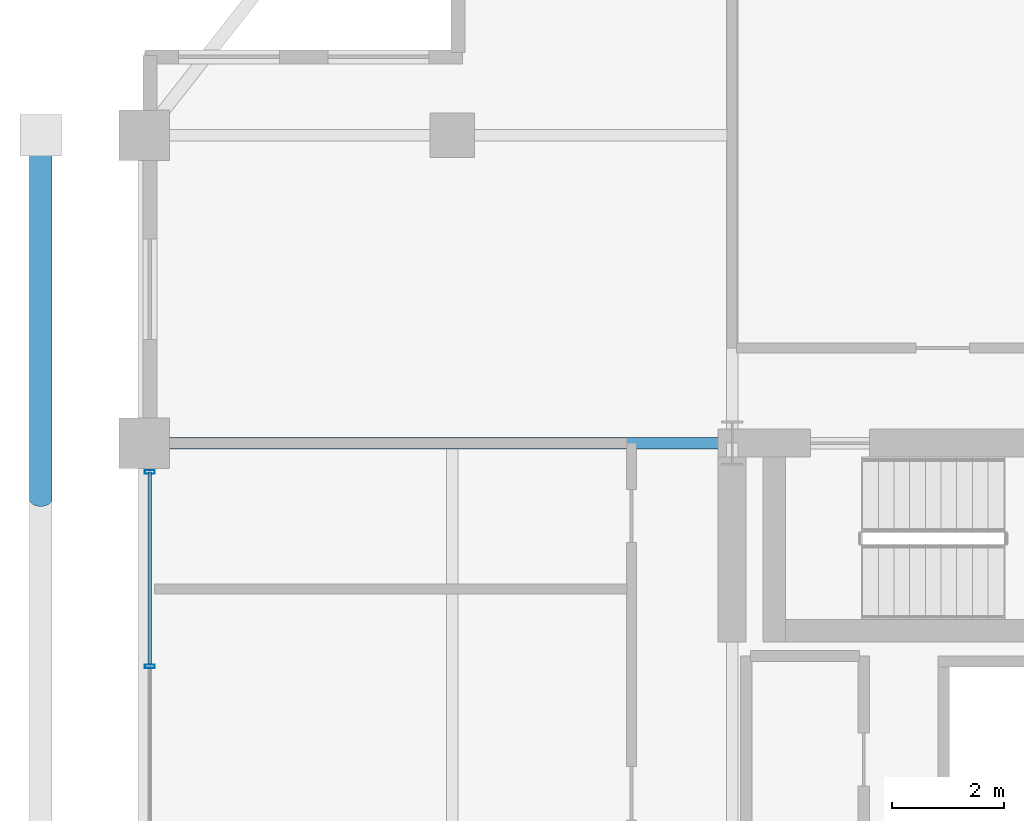
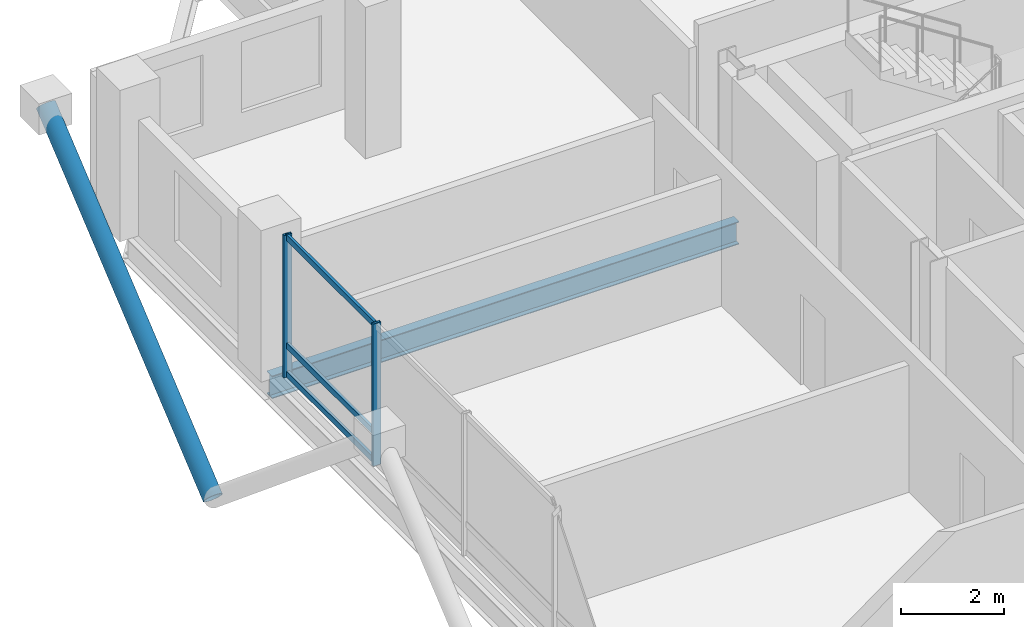
# One storey, part 9 of 22: 6 members, 1 beam, 1 element without a shape of its own.
"""IFC4 building model written with IfcOpenShell, lengths in metres."""

from ifc_helpers import new_model, si_unit, direction, frame, origin, origin_2d, place, context, subcontext, project, spatial, hollow_rectangle, hollow_circle, i_section, extrude, material, layer, layer_set, material_profile, profile_set, type_object, element, aggregate, save


model = new_model("IFC4")

# Units and contexts
model_context = context("Model", 3, precision=1e-05, world=origin(), true_north=direction((0.0, 1.0)))
body_context = subcontext(model_context, "Body", "Model", "MODEL_VIEW")
ifc_project = project(units=[si_unit("LENGTHUNIT", "METRE"), si_unit("AREAUNIT", "SQUARE_METRE"), si_unit("VOLUMEUNIT", "CUBIC_METRE"), si_unit("PLANEANGLEUNIT", "RADIAN"), si_unit("MASSUNIT", "GRAM", prefix="KILO")], contexts=[model_context])

# Site, building, storey
site_placement = place(None, origin())
site = spatial("IfcSite", under=ifc_project, at=site_placement, CompositionType="ELEMENT")
building_placement = place(site_placement, origin())
building = spatial("IfcBuilding", under=site, at=building_placement, Name="Barlavira Tower and Art Museum", CompositionType="ELEMENT")
storey_placement = place(building_placement, frame((0.0, 0.0, 258.300048828125)))
storey = spatial("IfcBuildingStorey", under=building, at=storey_placement, Name="L67", CompositionType="ELEMENT", Elevation=258.300048828125)

# Curtain wall, members
ifc_material_1 = material(Name="Low-iron coastal laminated glass", Category="glass")
ifc_layer = layer(ifc_material_1, 0.2099609375, Name="Low-iron coastal laminated glass")
ifc_layer_set = layer_set([ifc_layer], Name="Low-iron coastal laminated glass")
curtain_wall_type = type_object("IfcCurtainWallType", Name="Pale-Metal Unitised Curtain Wall Zone 4", PredefinedType="NOTDEFINED", material=ifc_layer_set)
curtain_wall_placement = place(storey_placement, origin())
curtain_wall = element("IfcCurtainWall", 1, at=curtain_wall_placement, inside=storey, type_object=curtain_wall_type, Name="L67 Curtain Wall CW4-L67-W-B3", PredefinedType="NOTDEFINED")
ifc_material_2 = material(Name="Pale anodised aluminium", Category="aluminium")
ifc_material_profile_1 = material_profile(ifc_material_2, hollow_rectangle(XDim=0.06494140625, YDim=0.179931640625, WallThickness=0.00390625, at=origin_2d()), Name="ALU-MULL 65x180x4")
ifc_profile_set_1 = profile_set([ifc_material_profile_1], Name="Pale anodised aluminium")
member_type_1 = type_object("IfcMemberType", Name="Curtain Wall Pale-Metal Mullion 65x180", PredefinedType="MULLION", material=ifc_profile_set_1)
member_1_placement = place(storey_placement, frame((-16.89990234375, 6.985107421875, 0.0), z_axis=(0.0, 0.0, 1.0), x_axis=(0.0, -1.0, 0.0)))
member_1 = element("IfcMember", 2, at=member_1_placement, type_object=member_type_1, Name="CW4-L67-W-B3 Mullion 0", PredefinedType="MULLION", context=body_context, shape_type="SweptSolid", body=[
    extrude(hollow_rectangle(XDim=0.06494140625, YDim=0.179931640625, WallThickness=0.00390625, at=origin_2d()), origin(), (0.0, 0.0, 1.0), 3.3798828125),
])
member_2_placement = place(storey_placement, frame((-16.89990234375, 3.514892578125, 0.0), z_axis=(0.0, 0.0, 1.0), x_axis=(0.0, -1.0, 0.0)))
member_2 = element("IfcMember", 3, at=member_2_placement, type_object=member_type_1, Name="CW4-L67-W-B3 Mullion 1", PredefinedType="MULLION", context=body_context, shape_type="SweptSolid", body=[
    extrude(hollow_rectangle(XDim=0.06494140625, YDim=0.179931640625, WallThickness=0.00390625, at=origin_2d()), origin(), (0.0, 0.0, 1.0), 3.3798828125),
])
ifc_material_profile_2 = material_profile(ifc_material_2, hollow_rectangle(XDim=0.06494140625, YDim=0.139892578125, WallThickness=0.00390625, at=origin_2d()), Name="ALU-TRAN 65x140x4")
ifc_profile_set_2 = profile_set([ifc_material_profile_2], Name="Pale anodised aluminium")
member_type_2 = type_object("IfcMemberType", Name="Curtain Wall Pale-Metal Transom 65x140", PredefinedType="USERDEFINED", material=ifc_profile_set_2)
member_3_placement = place(storey_placement, frame((-16.89990234375, 6.985107421875, 0.070068359375), z_axis=(0.0, -1.0, 0.0), x_axis=(1.0, 0.0, 0.0)))
member_3 = element("IfcMember", 4, at=member_3_placement, type_object=member_type_2, Name="CW4-L67-W-B3 Transom 0.1", ObjectType="TRANSOM", PredefinedType="USERDEFINED", context=body_context, shape_type="SweptSolid", body=[
    extrude(hollow_rectangle(XDim=0.06494140625, YDim=0.139892578125, WallThickness=0.00390625, at=origin_2d()), origin(), (0.0, 0.0, 1.0), 3.425048828125),
])
member_4_placement = place(storey_placement, frame((-16.89990234375, 6.985107421875, 0.743896484375), z_axis=(0.0, -1.0, 0.0), x_axis=(1.0, 0.0, 0.0)))
member_4 = element("IfcMember", 5, at=member_4_placement, type_object=member_type_2, Name="CW4-L67-W-B3 Transom 0.2", ObjectType="TRANSOM", PredefinedType="USERDEFINED", context=body_context, shape_type="SweptSolid", body=[
    extrude(hollow_rectangle(XDim=0.06494140625, YDim=0.139892578125, WallThickness=0.00390625, at=origin_2d()), origin(), (0.0, 0.0, 1.0), 3.425048828125),
])
member_5_placement = place(storey_placement, frame((-16.89990234375, 6.985107421875, 3.31005859375), z_axis=(0.0, -1.0, 0.0), x_axis=(1.0, 0.0, 0.0)))
member_5 = element("IfcMember", 6, at=member_5_placement, type_object=member_type_2, Name="CW4-L67-W-B3 Transom 0.3", ObjectType="TRANSOM", PredefinedType="USERDEFINED", context=body_context, shape_type="SweptSolid", body=[
    extrude(hollow_rectangle(XDim=0.06494140625, YDim=0.139892578125, WallThickness=0.00390625, at=origin_2d()), origin(), (0.0, 0.0, 1.0), 3.425048828125),
])
aggregate(curtain_wall, [member_1, member_2, member_3, member_4, member_5])

# Member
ifc_material_3 = material(Name="Steel S355", Category="steel")
ifc_material_profile_3 = material_profile(ifc_material_3, hollow_circle(Radius=0.203125, WallThickness=0.01611328125, at=origin_2d()), Name="CHS 406.4x16.0")
ifc_profile_set_3 = profile_set([ifc_material_profile_3], Name="Steel S355")
member_type_3 = type_object("IfcMemberType", Name="Pale-Metal Exoskeleton Diagrid Tube CHS 406x16 Steel S355", PredefinedType="BRACE", material=ifc_profile_set_3)
member_6_placement = place(storey_placement, frame((-18.85009765625, 6.5, -1.920166015625), z_axis=(0.0, 0.76918185268, 0.639029950399), x_axis=(-1.0, 0.0, 0.0)))
element("IfcMember", 7, at=member_6_placement, inside=storey, type_object=member_type_3, Name="L67 Exoskeleton Diagrid Tube W", PredefinedType="BRACE", context=body_context, shape_type="SweptSolid", body=[
    extrude(hollow_circle(Radius=0.203125, WallThickness=0.01611328125, at=origin_2d()), origin(), (0.0, 0.0, 1.0), 8.450439453125),
])

# Beam
ifc_material_profile_4 = material_profile(ifc_material_3, i_section(OverallWidth=0.2109375, OverallDepth=0.5390625, WebThickness=0.01171875, FlangeThickness=0.018798828125, at=origin_2d()), Name="W530x109.0")
ifc_profile_set_4 = profile_set([ifc_material_profile_4], Name="Steel S355")
beam_type = type_object("IfcBeamType", Name="Zone 3-4 Primary Floor Girder W530x109 Steel S355", PredefinedType="BEAM", material=ifc_profile_set_4)
beam_placement = place(storey_placement, frame((-17.0, 7.5, -0.489501953125), z_axis=(1.0, 0.0, 0.0), x_axis=(0.0, 1.0, 0.0)))
element("IfcBeam", 8, at=beam_placement, inside=storey, type_object=beam_type, Name="L67 Girder R-W2", PredefinedType="BEAM", context=body_context, shape_type="SweptSolid", body=[
    extrude(i_section(OverallWidth=0.2109375, OverallDepth=0.5390625, WebThickness=0.01171875, FlangeThickness=0.018798828125, at=origin_2d()), origin(), (0.0, 0.0, 1.0), 10.5),
])

save(model, "model.ifc")
